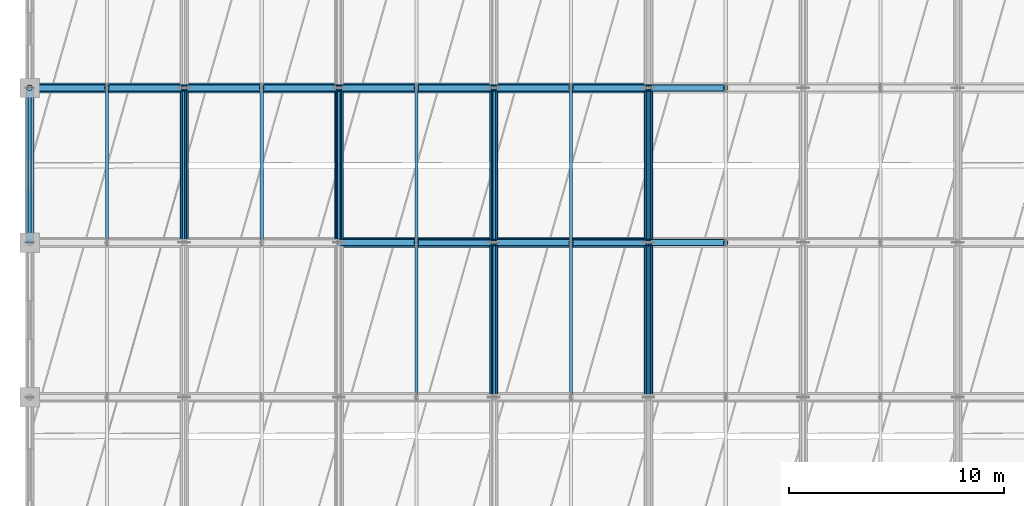
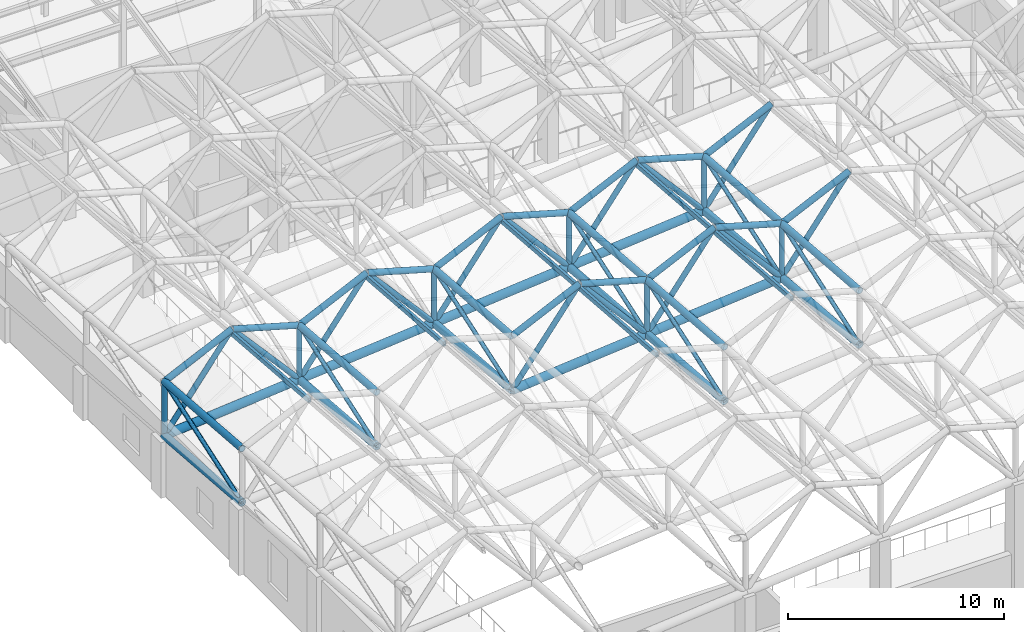
# One storey, part 20 of 113: 68 members.
"""IFC4 building model written with IfcOpenShell, lengths in metres."""

import ifcopenshell
import ifcopenshell.guid

model = None  # the IFC model being written
_history = None  # IfcOwnerHistory: only IFC2X3 demands one
_inside = {}  # id of a spatial element -> (the spatial element, [elements in it])
_under = {}  # id of a project, library or spatial element -> (it, [spatial elements below it])
_declared = {}  # id of a project -> (the project, [libraries it declares])
_typed = {}  # id of a type object -> (the type object, [elements of that type])
_made_of = {}  # id of a material, layer set ... -> (it, [elements and type objects made of it])


def new_model(schema):
    """Start an empty IFC model of exactly this schema.

    Asked for "IFC4X3", IfcOpenShell would pick the latest addendum, in which some entities
    have other attributes; the version numbers below select the first issue.
    IFC2X3 requires an IfcOwnerHistory on every rooted entity: one is made here for all.
    """
    global model, _history
    if schema == "IFC4X3":
        model = ifcopenshell.file(schema_version=(4, 3, 0, 0))
    else:
        model = ifcopenshell.file(schema=schema)
    _inside.clear()
    _under.clear()
    _declared.clear()
    _typed.clear()
    _made_of.clear()
    _history = None
    if model.schema == "IFC2X3":
        org = make("IfcOrganization", Name="unknown")
        user = make(
            "IfcPersonAndOrganization",
            ThePerson=make("IfcPerson", FamilyName="unknown"),
            TheOrganization=org,
        )
        app = make(
            "IfcApplication",
            ApplicationDeveloper=org,
            Version="unknown",
            ApplicationFullName="unknown",
            ApplicationIdentifier="unknown",
        )
        _history = make(
            "IfcOwnerHistory",
            OwningUser=user,
            OwningApplication=app,
            ChangeAction="ADDED",
            CreationDate=0,
        )
    return model


def make(cls, **values):
    """One entity of the class cls with the attributes given. An attribute that is None is left unset."""
    return model.create_entity(
        cls, **{name: value for name, value in values.items() if value is not None}
    )


def rooted(cls, **values):
    """An entity with a GlobalId (a new one), such as an element, a storey or a relation."""
    return make(cls, GlobalId=ifcopenshell.guid.new(), OwnerHistory=_history, **values)


def si_unit(unit_type, name, prefix=None):
    """IfcSIUnit, for example si_unit("LENGTHUNIT", "METRE", prefix="MILLI")."""
    return make("IfcSIUnit", UnitType=unit_type, Prefix=prefix, Name=name)


def assignment(units):
    """IfcUnitAssignment: the units of a project."""
    return None if units is None else make("IfcUnitAssignment", Units=units)


def point(xyz):
    """IfcCartesianPoint."""
    return None if xyz is None else make("IfcCartesianPoint", Coordinates=xyz)


def direction(xyz):
    """IfcDirection."""
    return None if xyz is None else make("IfcDirection", DirectionRatios=xyz)


def frame(location, z_axis=None, x_axis=None):
    """IfcAxis2Placement3D, a coordinate frame: its origin and axes. An axis left out is left unset."""
    return make(
        "IfcAxis2Placement3D",
        Location=point(location),
        Axis=direction(z_axis),
        RefDirection=direction(x_axis),
    )


def frame_2d(location, x_axis=None):
    """IfcAxis2Placement2D, a coordinate frame in the plane: its origin and x axis."""
    return make(
        "IfcAxis2Placement2D", Location=point(location), RefDirection=direction(x_axis)
    )


def origin():
    """The frame at (0, 0, 0) with its axes left unset."""
    return frame((0.0, 0.0, 0.0))


def origin_2d():
    """The frame at (0, 0) in the plane with its x axis left unset."""
    return frame_2d((0.0, 0.0))


def place(relative_to, where):
    """IfcLocalPlacement: puts the frame where relative to a parent placement (None: the world)."""
    return make(
        "IfcLocalPlacement", PlacementRelTo=relative_to, RelativePlacement=where
    )


def context(
    kind, dimensions, precision=None, world=None, true_north=None, identifier=None
):
    """IfcGeometricRepresentationContext, for example the 3D "Model" context."""
    return make(
        "IfcGeometricRepresentationContext",
        ContextIdentifier=identifier,
        ContextType=kind,
        CoordinateSpaceDimension=dimensions,
        Precision=precision,
        WorldCoordinateSystem=world,
        TrueNorth=true_north,
    )


def subcontext(parent, identifier, kind, view, scale=None):
    """IfcGeometricRepresentationSubContext, for example "Body" below "Model"."""
    return make(
        "IfcGeometricRepresentationSubContext",
        ContextIdentifier=identifier,
        ContextType=kind,
        ParentContext=parent,
        TargetScale=scale,
        TargetView=view,
    )


def project(units=None, contexts=None):
    """IfcProject with its units and contexts."""
    return rooted(
        "IfcProject",
        Name="project",
        RepresentationContexts=contexts,
        UnitsInContext=assignment(units),
    )


def spatial(cls, under=None, at=None, **own):
    """A site, building, storey or space (cls), placed at a placement, below another one or the project."""
    s = rooted(cls, ObjectPlacement=at, **own)
    if under is not None:
        _under.setdefault(under.id(), (under, []))[1].append(s)
    return s


def profile(cls, at=None, kind="AREA", **sizes):
    """A parametric profile (cls). Its sizes go by their IFC names, for example OverallWidth=200.0."""
    return make(cls, ProfileType=kind, Position=at, **sizes)


def hollow_rectangle(**sizes):
    """IfcRectangleHollowProfileDef."""
    return profile("IfcRectangleHollowProfileDef", **sizes)


def hollow_circle(**sizes):
    """IfcCircleHollowProfileDef."""
    return profile("IfcCircleHollowProfileDef", **sizes)


def extrude(swept, where, along, depth):
    """IfcExtrudedAreaSolid: the profile swept, set in the frame where, extruded along a direction by depth."""
    return make(
        "IfcExtrudedAreaSolid",
        SweptArea=swept,
        Position=where,
        ExtrudedDirection=direction(along),
        Depth=depth,
    )


def shape(context_of_items, identifier, shape_type, items):
    """IfcShapeRepresentation: the items that make up one representation, for example the "Body"."""
    return make(
        "IfcShapeRepresentation",
        ContextOfItems=context_of_items,
        RepresentationIdentifier=identifier,
        RepresentationType=shape_type,
        Items=items,
    )


def material(Name=None, Category=None):
    """IfcMaterial."""
    return make("IfcMaterial", Name=Name, Category=Category)


def material_profile(
    of_material, cross_section, Name=None, Category=None, Priority=None
):
    """IfcMaterialProfile: a cross section and its material."""
    return make(
        "IfcMaterialProfile",
        Name=Name,
        Material=of_material,
        Profile=cross_section,
        Priority=Priority,
        Category=Category,
    )


def profile_set(profiles, Name=None, composite=None):
    """IfcMaterialProfileSet."""
    return make(
        "IfcMaterialProfileSet",
        Name=Name,
        MaterialProfiles=profiles,
        CompositeProfile=composite,
    )


def made_of(thing, what):
    """Note that an element or type object is made of a material, layer set ...; save() writes the relation."""
    if what is not None:
        _made_of.setdefault(what.id(), (what, []))[1].append(thing)
    return thing


def type_object(cls, material=None, **own):
    """A type object (cls), such as IfcWallType, which elements share."""
    return made_of(rooted(cls, **own), material)


def element(
    cls,
    number,
    at=None,
    inside=None,
    cuts=None,
    type_object=None,
    material=None,
    context=None,
    identifier="Body",
    shape_type=None,
    held_by="IfcProductDefinitionShape",
    body=None,
    shapes=None,
    **own,
):
    """One element of the class cls, such as IfcWall. Its Tag is "e" and its number.

    at: its placement. inside: the storey or other place that contains it. cuts: it is an
    opening in that element (IfcRelVoidsElement). A single representation is given by context,
    identifier, shape_type and body (its items); several are given by shapes. held_by: the class
    of the entity that holds the representations. save() writes the other relations.
    """
    e = rooted(cls, Tag="e%d" % number, ObjectPlacement=at, **own)
    if body is not None:
        shapes = [shape(context, identifier, shape_type, body)]
    if shapes is not None:
        e.Representation = make(held_by, Representations=shapes)
    if inside is not None:
        _inside.setdefault(inside.id(), (inside, []))[1].append(e)
    if cuts is not None:
        rooted(
            "IfcRelVoidsElement", RelatingBuildingElement=cuts, RelatedOpeningElement=e
        )
    if type_object is not None:
        _typed.setdefault(type_object.id(), (type_object, []))[1].append(e)
    return made_of(e, material)


def aggregate(whole, parts):
    """IfcRelAggregates: a whole, such as a stair, and the parts it consists of."""
    return rooted("IfcRelAggregates", RelatingObject=whole, RelatedObjects=parts)


def save(model, path):
    """Write the relations noted so far, then the file.

    IfcRelAggregates (storeys below a building ...), IfcRelContainedInSpatialStructure (elements
    in a storey), IfcRelDefinesByType, IfcRelAssociatesMaterial and IfcRelDeclares: one each for
    every whole, place, type object, material and project.
    """
    for whole, parts in _under.values():
        aggregate(whole, parts)
    for where, things in _inside.values():
        rooted(
            "IfcRelContainedInSpatialStructure",
            RelatedElements=things,
            RelatingStructure=where,
        )
    for kind, things in _typed.values():
        rooted("IfcRelDefinesByType", RelatedObjects=things, RelatingType=kind)
    for what, things in _made_of.values():
        rooted("IfcRelAssociatesMaterial", RelatedObjects=things, RelatingMaterial=what)
    for by, libraries in _declared.values():
        rooted("IfcRelDeclares", RelatingContext=by, RelatedDefinitions=libraries)
    model.write(path)


model = new_model("IFC4")

# Units and contexts
model_context = context("Model", 3, precision=1e-05, world=origin(), true_north=direction((0.0, 1.0)))
body_context = subcontext(model_context, "Body", "Model", "MODEL_VIEW")
ifc_project = project(units=[si_unit("LENGTHUNIT", "METRE"), si_unit("AREAUNIT", "SQUARE_METRE"), si_unit("VOLUMEUNIT", "CUBIC_METRE"), si_unit("PLANEANGLEUNIT", "RADIAN"), si_unit("MASSUNIT", "GRAM", prefix="KILO")], contexts=[model_context])

# Site, building, storey
site_placement = place(None, origin())
site = spatial("IfcSite", under=ifc_project, at=site_placement, CompositionType="ELEMENT")
building_placement = place(site_placement, origin())
building = spatial("IfcBuilding", under=site, at=building_placement, Name="Carrowvane Square Congress Hotel", CompositionType="ELEMENT")
storey_placement = place(building_placement, frame((0.0, 0.0, 15.0)))
storey = spatial("IfcBuildingStorey", under=building, at=storey_placement, Name="L03", CompositionType="ELEMENT", Elevation=15.0)

# Members
ifc_material_1 = material(Name="Steel S355", Category="steel")
ifc_material_profile_1 = material_profile(ifc_material_1, hollow_rectangle(XDim=0.14990234375, YDim=0.25, WallThickness=0.012451171875, at=origin_2d()), Name="RHS 250x150x12.5")
ifc_profile_set_1 = profile_set([ifc_material_profile_1], Name="Steel S355")
member_type_1 = type_object("IfcMemberType", Name="MEM-PR-RHS250", PredefinedType="PURLIN", material=ifc_profile_set_1)
for number, where, z_axis, x_axis, name in (
    (1, (15.199951171875, 27.0, 8.224365234375), (0.0, 0.996864207606, -0.079131230206), (-1.0, 0.0, 0.0), "Space-frame ridge purlin 452"),
    (2, (22.39990234375, 27.0, 8.88134765625), (0.0, 0.996866873479, -0.079097639413), (-1.0, 0.0, 0.0), "Space-frame ridge purlin 459"),
    (3, (29.60009765625, 19.800048828125, 10.110107421875), (0.0, 0.996864207606, -0.079131230206), (-1.0, 0.0, 0.0), "Space-frame ridge purlin 465"),
    (4, (29.60009765625, 27.0, 9.53857421875), (0.0, 0.996864207606, -0.079131230206), (-1.0, 0.0, 0.0), "Space-frame ridge purlin 466"),
    (5, (36.800048828125, 19.800048828125, 10.76708984375), (0.0, 0.996866873479, -0.079097639413), (-1.0, 0.0, 0.0), "Space-frame ridge purlin 472"),
    (6, (36.800048828125, 27.0, 10.19580078125), (0.0, 0.996864207606, -0.079131230206), (-1.0, 0.0, 0.0), "Space-frame ridge purlin 473"),
):
    element("IfcMember", number, at=place(storey_placement, frame(where, z_axis=z_axis, x_axis=x_axis)), inside=storey, type_object=member_type_1, Name=name, PredefinedType="PURLIN", context=body_context, shape_type="SweptSolid", body=[
        extrude(hollow_rectangle(XDim=0.14990234375, YDim=0.25, WallThickness=0.012451171875, at=origin_2d()), origin(), (0.0, 0.0, 1.0), 7.22265625),
    ])
ifc_material_2 = material(Name="Steel S355", Category="steel")
ifc_material_profile_2 = material_profile(ifc_material_2, hollow_circle(Radius=0.136474609375, WallThickness=0.01611328125, at=origin_2d()), Name="CHS 273.0x16")
ifc_profile_set_2 = profile_set([ifc_material_profile_2], Name="Steel S355")
member_type_2 = type_object("IfcMemberType", Name="MEM-ST-CHS273", PredefinedType="STRUT", material=ifc_profile_set_2)
member_1_placement = place(storey_placement, frame((11.60009765625, 34.199951171875, 3.13427734375), z_axis=(0.0, 0.0, 1.0), x_axis=(1.0, 0.0, 0.0)))
element("IfcMember", 7, at=member_1_placement, inside=storey, type_object=member_type_2, Name="Space-frame vertical post 502", PredefinedType="STRUT", context=body_context, shape_type="SweptSolid", body=[
    extrude(hollow_circle(Radius=0.136474609375, WallThickness=0.01611328125, at=origin_2d()), origin(), (0.0, 0.0, 1.0), 3.050048828125),
])
member_2_placement = place(storey_placement, frame((18.800048828125, 34.199951171875, 3.79150390625), z_axis=(0.0, 0.0, 1.0), x_axis=(1.0, 0.0, 0.0)))
element("IfcMember", 8, at=member_2_placement, inside=storey, type_object=member_type_2, Name="Space-frame vertical post 510", PredefinedType="STRUT", context=body_context, shape_type="SweptSolid", body=[
    extrude(hollow_circle(Radius=0.136474609375, WallThickness=0.01611328125, at=origin_2d()), origin(), (0.0, 0.0, 1.0), 3.0498046875),
])
member_3_placement = place(storey_placement, frame((26.0, 34.199951171875, 4.448486328125), z_axis=(0.0, 0.0, 1.0), x_axis=(1.0, 0.0, 0.0)))
element("IfcMember", 9, at=member_3_placement, inside=storey, type_object=member_type_2, Name="Space-frame vertical post 518", PredefinedType="STRUT", context=body_context, shape_type="SweptSolid", body=[
    extrude(hollow_circle(Radius=0.136474609375, WallThickness=0.01611328125, at=origin_2d()), origin(), (0.0, 0.0, 1.0), 3.050048828125),
])
member_4_placement = place(storey_placement, frame((33.199951171875, 27.0, 5.67724609375), z_axis=(0.0, 0.0, 1.0), x_axis=(1.0, 0.0, 0.0)))
element("IfcMember", 10, at=member_4_placement, inside=storey, type_object=member_type_2, Name="Space-frame vertical post 525", PredefinedType="STRUT", context=body_context, shape_type="SweptSolid", body=[
    extrude(hollow_circle(Radius=0.136474609375, WallThickness=0.01611328125, at=origin_2d()), origin(), (0.0, 0.0, 1.0), 3.0498046875),
])
for number, where, z_axis, x_axis, name in (
    (11, (33.199951171875, 34.199951171875, 5.105712890625), (0.0, 0.0, 1.0), (1.0, 0.0, 0.0), "Space-frame vertical post 526"),
    (12, (40.39990234375, 27.0, 6.334228515625), (0.0, 0.0, 1.0), (1.0, 0.0, 0.0), "Space-frame vertical post 533"),
):
    element("IfcMember", number, at=place(storey_placement, frame(where, z_axis=z_axis, x_axis=x_axis)), inside=storey, type_object=member_type_2, Name=name, PredefinedType="STRUT", context=body_context, shape_type="SweptSolid", body=[
        extrude(hollow_circle(Radius=0.136474609375, WallThickness=0.01611328125, at=origin_2d()), origin(), (0.0, 0.0, 1.0), 3.050048828125),
    ])
member_5_placement = place(storey_placement, frame((40.39990234375, 34.199951171875, 5.762939453125), z_axis=(0.0, 0.0, 1.0), x_axis=(1.0, 0.0, 0.0)))
element("IfcMember", 13, at=member_5_placement, inside=storey, type_object=member_type_2, Name="Space-frame vertical post 534", PredefinedType="STRUT", context=body_context, shape_type="SweptSolid", body=[
    extrude(hollow_circle(Radius=0.136474609375, WallThickness=0.01611328125, at=origin_2d()), origin(), (0.0, 0.0, 1.0), 3.0498046875),
])
ifc_material_3 = material(Name="Steel S355", Category="steel")
ifc_material_profile_3 = material_profile(ifc_material_3, hollow_circle(Radius=0.161865234375, WallThickness=0.01611328125, at=origin_2d()), Name="CHS 323.9x16")
ifc_profile_set_3 = profile_set([ifc_material_profile_3], Name="Steel S355")
member_type_3 = type_object("IfcMemberType", Name="MEM-TC-CHS324", PredefinedType="CHORD", material=ifc_profile_set_3)
member_6_placement = place(storey_placement, frame((26.0, 27.0, 8.070068359375), z_axis=(0.905368957574, 0.0, 0.424625777199), x_axis=(0.0, 1.0, 0.0)))
element("IfcMember", 14, at=member_6_placement, inside=storey, type_object=member_type_3, Name="Space-frame folded top chord 285", PredefinedType="CHORD", context=body_context, shape_type="SweptSolid", body=[
    extrude(hollow_circle(Radius=0.161865234375, WallThickness=0.01611328125, at=origin_2d()), origin(), (0.0, 0.0, 1.0), 3.976318359375),
])
member_7_placement = place(storey_placement, frame((29.60009765625, 27.0, 9.758544921875), z_axis=(0.961314549928, 0.0, -0.275452965307), x_axis=(0.0, 1.0, 0.0)))
element("IfcMember", 15, at=member_7_placement, inside=storey, type_object=member_type_3, Name="Space-frame folded top chord 286", PredefinedType="CHORD", context=body_context, shape_type="SweptSolid", body=[
    extrude(hollow_circle(Radius=0.161865234375, WallThickness=0.01611328125, at=origin_2d()), origin(), (0.0, 0.0, 1.0), 3.74462890625),
])
member_8_placement = place(storey_placement, frame((33.199951171875, 27.0, 8.72705078125), z_axis=(0.905345352914, 0.0, 0.424676102408), x_axis=(0.0, 1.0, 0.0)))
element("IfcMember", 16, at=member_8_placement, inside=storey, type_object=member_type_3, Name="Space-frame folded top chord 290", PredefinedType="CHORD", context=body_context, shape_type="SweptSolid", body=[
    extrude(hollow_circle(Radius=0.161865234375, WallThickness=0.01611328125, at=origin_2d()), origin(), (0.0, 0.0, 1.0), 3.9765625),
])
member_9_placement = place(storey_placement, frame((36.800048828125, 27.0, 10.415771484375), z_axis=(0.961314549928, 0.0, -0.275452965307), x_axis=(0.0, 1.0, 0.0)))
element("IfcMember", 17, at=member_9_placement, inside=storey, type_object=member_type_3, Name="Space-frame folded top chord 291", PredefinedType="CHORD", context=body_context, shape_type="SweptSolid", body=[
    extrude(hollow_circle(Radius=0.161865234375, WallThickness=0.01611328125, at=origin_2d()), origin(), (0.0, 0.0, 1.0), 3.74462890625),
])
member_10_placement = place(storey_placement, frame((40.39990234375, 27.0, 9.38427734375), z_axis=(0.905368957574, 0.0, 0.424625777199), x_axis=(0.0, 1.0, 0.0)))
element("IfcMember", 18, at=member_10_placement, inside=storey, type_object=member_type_3, Name="Space-frame folded top chord 295", PredefinedType="CHORD", context=body_context, shape_type="SweptSolid", body=[
    extrude(hollow_circle(Radius=0.161865234375, WallThickness=0.01611328125, at=origin_2d()), origin(), (0.0, 0.0, 1.0), 3.976318359375),
])
member_11_placement = place(storey_placement, frame((11.60009765625, 34.199951171875, 6.184326171875), z_axis=(0.905357886231, 0.0, 0.424649382243), x_axis=(0.0, 1.0, 0.0)))
element("IfcMember", 19, at=member_11_placement, inside=storey, type_object=member_type_3, Name="Space-frame folded top chord 310", PredefinedType="CHORD", context=body_context, shape_type="SweptSolid", body=[
    extrude(hollow_circle(Radius=0.161865234375, WallThickness=0.01611328125, at=origin_2d()), origin(), (0.0, 0.0, 1.0), 3.97607421875),
])
member_12_placement = place(storey_placement, frame((15.199951171875, 34.199951171875, 7.872802734375), z_axis=(0.961319496164, 0.0, -0.275435702651), x_axis=(0.0, 1.0, 0.0)))
element("IfcMember", 20, at=member_12_placement, inside=storey, type_object=member_type_3, Name="Space-frame folded top chord 311", PredefinedType="CHORD", context=body_context, shape_type="SweptSolid", body=[
    extrude(hollow_circle(Radius=0.161865234375, WallThickness=0.01611328125, at=origin_2d()), origin(), (0.0, 0.0, 1.0), 3.744873046875),
])
member_13_placement = place(storey_placement, frame((18.800048828125, 34.199951171875, 6.84130859375), z_axis=(0.905334279236, 0.0, 0.424699709018), x_axis=(0.0, 1.0, 0.0)))
element("IfcMember", 21, at=member_13_placement, inside=storey, type_object=member_type_3, Name="Space-frame folded top chord 315", PredefinedType="CHORD", context=body_context, shape_type="SweptSolid", body=[
    extrude(hollow_circle(Radius=0.161865234375, WallThickness=0.01611328125, at=origin_2d()), origin(), (0.0, 0.0, 1.0), 3.976318359375),
])
member_14_placement = place(storey_placement, frame((22.39990234375, 34.199951171875, 8.530029296875), z_axis=(0.961319496164, 0.0, -0.275435702651), x_axis=(0.0, 1.0, 0.0)))
element("IfcMember", 22, at=member_14_placement, inside=storey, type_object=member_type_3, Name="Space-frame folded top chord 316", PredefinedType="CHORD", context=body_context, shape_type="SweptSolid", body=[
    extrude(hollow_circle(Radius=0.161865234375, WallThickness=0.01611328125, at=origin_2d()), origin(), (0.0, 0.0, 1.0), 3.744873046875),
])
member_15_placement = place(storey_placement, frame((26.0, 34.199951171875, 7.49853515625), z_axis=(0.905345352914, 0.0, 0.424676102408), x_axis=(0.0, 1.0, 0.0)))
element("IfcMember", 23, at=member_15_placement, inside=storey, type_object=member_type_3, Name="Space-frame folded top chord 320", PredefinedType="CHORD", context=body_context, shape_type="SweptSolid", body=[
    extrude(hollow_circle(Radius=0.161865234375, WallThickness=0.01611328125, at=origin_2d()), origin(), (0.0, 0.0, 1.0), 3.9765625),
])
member_16_placement = place(storey_placement, frame((29.60009765625, 34.199951171875, 9.187255859375), z_axis=(0.961314549928, 0.0, -0.275452965307), x_axis=(0.0, 1.0, 0.0)))
element("IfcMember", 24, at=member_16_placement, inside=storey, type_object=member_type_3, Name="Space-frame folded top chord 321", PredefinedType="CHORD", context=body_context, shape_type="SweptSolid", body=[
    extrude(hollow_circle(Radius=0.161865234375, WallThickness=0.01611328125, at=origin_2d()), origin(), (0.0, 0.0, 1.0), 3.74462890625),
])
member_17_placement = place(storey_placement, frame((33.199951171875, 34.199951171875, 8.15576171875), z_axis=(0.905368957574, 0.0, 0.424625777199), x_axis=(0.0, 1.0, 0.0)))
element("IfcMember", 25, at=member_17_placement, inside=storey, type_object=member_type_3, Name="Space-frame folded top chord 325", PredefinedType="CHORD", context=body_context, shape_type="SweptSolid", body=[
    extrude(hollow_circle(Radius=0.161865234375, WallThickness=0.01611328125, at=origin_2d()), origin(), (0.0, 0.0, 1.0), 3.976318359375),
])
member_18_placement = place(storey_placement, frame((36.800048828125, 34.199951171875, 9.84423828125), z_axis=(0.961314549928, 0.0, -0.275452965307), x_axis=(0.0, 1.0, 0.0)))
element("IfcMember", 26, at=member_18_placement, inside=storey, type_object=member_type_3, Name="Space-frame folded top chord 326", PredefinedType="CHORD", context=body_context, shape_type="SweptSolid", body=[
    extrude(hollow_circle(Radius=0.161865234375, WallThickness=0.01611328125, at=origin_2d()), origin(), (0.0, 0.0, 1.0), 3.74462890625),
])
member_19_placement = place(storey_placement, frame((40.39990234375, 34.199951171875, 8.812744140625), z_axis=(0.905345352914, 0.0, 0.424676102408), x_axis=(0.0, 1.0, 0.0)))
element("IfcMember", 27, at=member_19_placement, inside=storey, type_object=member_type_3, Name="Space-frame folded top chord 330", PredefinedType="CHORD", context=body_context, shape_type="SweptSolid", body=[
    extrude(hollow_circle(Radius=0.161865234375, WallThickness=0.01611328125, at=origin_2d()), origin(), (0.0, 0.0, 1.0), 3.9765625),
])
ifc_material_4 = material(Name="Steel S355", Category="steel")
ifc_material_profile_4 = material_profile(ifc_material_4, hollow_circle(Radius=0.177734375, WallThickness=0.02001953125, at=origin_2d()), Name="CHS 355.6x20")
ifc_profile_set_4 = profile_set([ifc_material_profile_4], Name="Steel S355")
member_type_4 = type_object("IfcMemberType", Name="MEM-TC-CHS356", PredefinedType="CHORD", material=ifc_profile_set_4)
for number, where, z_axis, x_axis, name in (
    (28, (11.60009765625, 27.0, 6.755615234375), (0.0, 0.996866873479, -0.079097639413), (-1.0, 0.0, 0.0), "Space-frame valley top chord 10"),
    (29, (18.800048828125, 27.0, 7.412841796875), (0.0, 0.996864207606, -0.079131230206), (-1.0, 0.0, 0.0), "Space-frame valley top chord 31"),
    (30, (26.0, 27.0, 8.070068359375), (0.0, 0.996864207606, -0.079131230206), (-1.0, 0.0, 0.0), "Space-frame valley top chord 52"),
    (31, (33.199951171875, 19.800048828125, 9.298583984375), (0.0, 0.996864207606, -0.079131230206), (-1.0, 0.0, 0.0), "Space-frame valley top chord 70"),
    (32, (33.199951171875, 27.0, 8.72705078125), (0.0, 0.996866873479, -0.079097639413), (-1.0, 0.0, 0.0), "Space-frame valley top chord 73"),
    (33, (40.39990234375, 19.800048828125, 9.955810546875), (0.0, 0.996864207606, -0.079131230206), (-1.0, 0.0, 0.0), "Space-frame valley top chord 91"),
    (34, (40.39990234375, 27.0, 9.38427734375), (0.0, 0.996864207606, -0.079131230206), (-1.0, 0.0, 0.0), "Space-frame valley top chord 94"),
):
    element("IfcMember", number, at=place(storey_placement, frame(where, z_axis=z_axis, x_axis=x_axis)), inside=storey, type_object=member_type_4, Name=name, PredefinedType="CHORD", context=body_context, shape_type="SweptSolid", body=[
        extrude(hollow_circle(Radius=0.177734375, WallThickness=0.02001953125, at=origin_2d()), origin(), (0.0, 0.0, 1.0), 7.22265625),
    ])
ifc_material_5 = material(Name="Steel S355", Category="steel")
ifc_material_profile_5 = material_profile(ifc_material_5, hollow_circle(Radius=0.203125, WallThickness=0.02001953125, at=origin_2d()), Name="CHS 406.4x20")
ifc_profile_set_5 = profile_set([ifc_material_profile_5], Name="Steel S355")
member_type_5 = type_object("IfcMemberType", Name="MEM-TC-CHS406", PredefinedType="CHORD", material=ifc_profile_set_5)
for number, where, z_axis, x_axis, name in (
    (35, (11.60009765625, 27.0, 3.705810546875), (0.0, 0.996864207606, -0.079131230206), (-1.0, 0.0, 0.0), "Space-frame bottom chord 11"),
    (36, (18.800048828125, 27.0, 4.36279296875), (0.0, 0.996866873479, -0.079097639413), (-1.0, 0.0, 0.0), "Space-frame bottom chord 32"),
    (37, (26.0, 27.0, 5.02001953125), (0.0, 0.996864207606, -0.079131230206), (-1.0, 0.0, 0.0), "Space-frame bottom chord 53"),
    (38, (33.199951171875, 19.800048828125, 6.24853515625), (0.0, 0.996866873479, -0.079097639413), (-1.0, 0.0, 0.0), "Space-frame bottom chord 71"),
    (39, (33.199951171875, 27.0, 5.67724609375), (0.0, 0.996864207606, -0.079131230206), (-1.0, 0.0, 0.0), "Space-frame bottom chord 74"),
    (40, (40.39990234375, 19.800048828125, 6.90576171875), (0.0, 0.996864207606, -0.079131230206), (-1.0, 0.0, 0.0), "Space-frame bottom chord 92"),
    (41, (40.39990234375, 27.0, 6.334228515625), (0.0, 0.996866873479, -0.079097639413), (-1.0, 0.0, 0.0), "Space-frame bottom chord 95"),
):
    element("IfcMember", number, at=place(storey_placement, frame(where, z_axis=z_axis, x_axis=x_axis)), inside=storey, type_object=member_type_5, Name=name, PredefinedType="CHORD", context=body_context, shape_type="SweptSolid", body=[
        extrude(hollow_circle(Radius=0.203125, WallThickness=0.02001953125, at=origin_2d()), origin(), (0.0, 0.0, 1.0), 7.22265625),
    ])
ifc_material_6 = material(Name="Steel S355", Category="steel")
ifc_material_profile_6 = material_profile(ifc_material_6, hollow_circle(Radius=0.228515625, WallThickness=0.02490234375, at=origin_2d()), Name="CHS 457.0x25")
ifc_profile_set_6 = profile_set([ifc_material_profile_6], Name="Steel S355")
member_type_6 = type_object("IfcMemberType", Name="MEM-TC-CHS457", PredefinedType="CHORD", material=ifc_profile_set_6)
for number, where, z_axis, x_axis, name in (
    (42, (26.0, 27.0, 5.02001953125), (0.995859646859, 0.0, 0.090904145988), (0.0, 1.0, 0.0), "Space-frame cross bottom chord 284"),
    (43, (33.199951171875, 27.0, 5.67724609375), (0.99586270327, 0.0, 0.090870656624), (0.0, 1.0, 0.0), "Space-frame cross bottom chord 289"),
    (44, (11.60009765625, 34.199951171875, 3.13427734375), (0.995859646859, 0.0, 0.090904145988), (0.0, 1.0, 0.0), "Space-frame cross bottom chord 309"),
    (45, (18.800048828125, 34.199951171875, 3.79150390625), (0.99586270327, 0.0, 0.090870656624), (0.0, 1.0, 0.0), "Space-frame cross bottom chord 314"),
    (46, (26.0, 34.199951171875, 4.448486328125), (0.995859646859, 0.0, 0.090904145988), (0.0, 1.0, 0.0), "Space-frame cross bottom chord 319"),
    (47, (33.199951171875, 34.199951171875, 5.105712890625), (0.995859646859, 0.0, 0.090904145988), (0.0, 1.0, 0.0), "Space-frame cross bottom chord 324"),
):
    element("IfcMember", number, at=place(storey_placement, frame(where, z_axis=z_axis, x_axis=x_axis)), inside=storey, type_object=member_type_6, Name=name, PredefinedType="CHORD", context=body_context, shape_type="SweptSolid", body=[
        extrude(hollow_circle(Radius=0.228515625, WallThickness=0.02490234375, at=origin_2d()), origin(), (0.0, 0.0, 1.0), 7.22998046875),
    ])
ifc_material_7 = material(Name="Steel S355", Category="steel")
ifc_material_profile_7 = material_profile(ifc_material_7, hollow_circle(Radius=0.109619140625, WallThickness=0.012451171875, at=origin_2d()), Name="CHS 219.1x12.5")
ifc_profile_set_7 = profile_set([ifc_material_profile_7], Name="Steel S355")
member_type_7 = type_object("IfcMemberType", Name="MEM-TD-CHS219", PredefinedType="BRACE", material=ifc_profile_set_7)
for number, where, z_axis, x_axis, name in (
    (48, (11.60009765625, 27.0, 3.705810546875), (0.0, 0.945543894884, 0.325494612623), (-1.0, 0.0, 0.0), "Space-frame web diagonal 12"),
    (49, (18.800048828125, 27.0, 4.36279296875), (0.0, 0.945543894884, 0.325494612623), (-1.0, 0.0, 0.0), "Space-frame web diagonal 33"),
    (50, (26.0, 27.0, 5.02001953125), (0.0, 0.945543894884, 0.325494612623), (-1.0, 0.0, 0.0), "Space-frame web diagonal 54"),
    (51, (33.199951171875, 19.800048828125, 6.24853515625), (0.0, 0.945543894884, 0.325494612623), (-1.0, 0.0, 0.0), "Space-frame web diagonal 72"),
    (52, (33.199951171875, 27.0, 5.67724609375), (0.0, 0.945543894884, 0.325494612623), (-1.0, 0.0, 0.0), "Space-frame web diagonal 75"),
    (53, (40.39990234375, 19.800048828125, 6.90576171875), (0.0, 0.945543894884, 0.325494612623), (-1.0, 0.0, 0.0), "Space-frame web diagonal 93"),
    (54, (40.39990234375, 27.0, 6.334228515625), (0.0, 0.945543894884, 0.325494612623), (-1.0, 0.0, 0.0), "Space-frame web diagonal 96"),
):
    element("IfcMember", number, at=place(storey_placement, frame(where, z_axis=z_axis, x_axis=x_axis)), inside=storey, type_object=member_type_7, Name=name, PredefinedType="BRACE", context=body_context, shape_type="SweptSolid", body=[
        extrude(hollow_circle(Radius=0.109619140625, WallThickness=0.012451171875, at=origin_2d()), origin(), (0.0, 0.0, 1.0), 7.614501953125),
    ])
ifc_material_8 = material(Name="Steel S355", Category="steel")
ifc_material_profile_8 = material_profile(ifc_material_8, hollow_circle(Radius=0.136474609375, WallThickness=0.01611328125, at=origin_2d()), Name="CHS 273.0x16")
ifc_profile_set_8 = profile_set([ifc_material_profile_8], Name="Steel S355")
member_type_8 = type_object("IfcMemberType", Name="MEM-TD-CHS273", PredefinedType="BRACE", material=ifc_profile_set_8)
member_20_placement = place(storey_placement, frame((26.0, 27.0, 5.02001953125), z_axis=(0.604957396698, 0.0, 0.796257840263), x_axis=(0.0, 1.0, 0.0)))
element("IfcMember", 55, at=member_20_placement, inside=storey, type_object=member_type_8, Name="Space-frame space diagonal 287", PredefinedType="BRACE", context=body_context, shape_type="SweptSolid", body=[
    extrude(hollow_circle(Radius=0.136474609375, WallThickness=0.01611328125, at=origin_2d()), origin(), (0.0, 0.0, 1.0), 5.950927734375),
])
member_21_placement = place(storey_placement, frame((33.199951171875, 27.0, 5.67724609375), z_axis=(-0.661488088381, 0.0, 0.74995567131), x_axis=(0.0, -1.0, 0.0)))
element("IfcMember", 56, at=member_21_placement, inside=storey, type_object=member_type_8, Name="Space-frame space diagonal 288", PredefinedType="BRACE", context=body_context, shape_type="SweptSolid", body=[
    extrude(hollow_circle(Radius=0.136474609375, WallThickness=0.01611328125, at=origin_2d()), origin(), (0.0, 0.0, 1.0), 5.442138671875),
])
member_22_placement = place(storey_placement, frame((33.199951171875, 27.0, 5.67724609375), z_axis=(0.604957396698, 0.0, 0.796257840263), x_axis=(0.0, 1.0, 0.0)))
element("IfcMember", 57, at=member_22_placement, inside=storey, type_object=member_type_8, Name="Space-frame space diagonal 292", PredefinedType="BRACE", context=body_context, shape_type="SweptSolid", body=[
    extrude(hollow_circle(Radius=0.136474609375, WallThickness=0.01611328125, at=origin_2d()), origin(), (0.0, 0.0, 1.0), 5.950927734375),
])
member_23_placement = place(storey_placement, frame((40.39990234375, 27.0, 6.334228515625), z_axis=(-0.661465833466, 0.0, 0.749975300365), x_axis=(0.0, -1.0, 0.0)))
element("IfcMember", 58, at=member_23_placement, inside=storey, type_object=member_type_8, Name="Space-frame space diagonal 293", PredefinedType="BRACE", context=body_context, shape_type="SweptSolid", body=[
    extrude(hollow_circle(Radius=0.136474609375, WallThickness=0.01611328125, at=origin_2d()), origin(), (0.0, 0.0, 1.0), 5.442138671875),
])
for number, where, z_axis, x_axis, name in (
    (59, (40.39990234375, 27.0, 6.334228515625), (0.604957396698, 0.0, 0.796257840263), (0.0, 1.0, 0.0), "Space-frame space diagonal 297"),
    (60, (11.60009765625, 34.199951171875, 3.13427734375), (0.604931384673, 0.0, 0.796277602246), (0.0, 1.0, 0.0), "Space-frame space diagonal 312"),
):
    element("IfcMember", number, at=place(storey_placement, frame(where, z_axis=z_axis, x_axis=x_axis)), inside=storey, type_object=member_type_8, Name=name, PredefinedType="BRACE", context=body_context, shape_type="SweptSolid", body=[
        extrude(hollow_circle(Radius=0.136474609375, WallThickness=0.01611328125, at=origin_2d()), origin(), (0.0, 0.0, 1.0), 5.950927734375),
    ])
member_24_placement = place(storey_placement, frame((18.800048828125, 34.199951171875, 3.79150390625), z_axis=(-0.66151331907, 0.0, 0.749933416173), x_axis=(0.0, -1.0, 0.0)))
element("IfcMember", 61, at=member_24_placement, inside=storey, type_object=member_type_8, Name="Space-frame space diagonal 313", PredefinedType="BRACE", context=body_context, shape_type="SweptSolid", body=[
    extrude(hollow_circle(Radius=0.136474609375, WallThickness=0.01611328125, at=origin_2d()), origin(), (0.0, 0.0, 1.0), 5.442138671875),
])
member_25_placement = place(storey_placement, frame((18.800048828125, 34.199951171875, 3.79150390625), z_axis=(0.604931384673, 0.0, 0.796277602246), x_axis=(0.0, 1.0, 0.0)))
element("IfcMember", 62, at=member_25_placement, inside=storey, type_object=member_type_8, Name="Space-frame space diagonal 317", PredefinedType="BRACE", context=body_context, shape_type="SweptSolid", body=[
    extrude(hollow_circle(Radius=0.136474609375, WallThickness=0.01611328125, at=origin_2d()), origin(), (0.0, 0.0, 1.0), 5.950927734375),
])
member_26_placement = place(storey_placement, frame((26.0, 34.199951171875, 4.448486328125), z_axis=(-0.661491064627, 0.0, 0.749953046143), x_axis=(0.0, -1.0, 0.0)))
element("IfcMember", 63, at=member_26_placement, inside=storey, type_object=member_type_8, Name="Space-frame space diagonal 318", PredefinedType="BRACE", context=body_context, shape_type="SweptSolid", body=[
    extrude(hollow_circle(Radius=0.136474609375, WallThickness=0.01611328125, at=origin_2d()), origin(), (0.0, 0.0, 1.0), 5.4423828125),
])
member_27_placement = place(storey_placement, frame((26.0, 34.199951171875, 4.448486328125), z_axis=(0.60493763524, 0.0, 0.796272853656), x_axis=(0.0, 1.0, 0.0)))
element("IfcMember", 64, at=member_27_placement, inside=storey, type_object=member_type_8, Name="Space-frame space diagonal 322", PredefinedType="BRACE", context=body_context, shape_type="SweptSolid", body=[
    extrude(hollow_circle(Radius=0.136474609375, WallThickness=0.01611328125, at=origin_2d()), origin(), (0.0, 0.0, 1.0), 5.951171875),
])
member_28_placement = place(storey_placement, frame((33.199951171875, 34.199951171875, 5.105712890625), z_axis=(-0.661465833466, 0.0, 0.749975300365), x_axis=(0.0, -1.0, 0.0)))
element("IfcMember", 65, at=member_28_placement, inside=storey, type_object=member_type_8, Name="Space-frame space diagonal 323", PredefinedType="BRACE", context=body_context, shape_type="SweptSolid", body=[
    extrude(hollow_circle(Radius=0.136474609375, WallThickness=0.01611328125, at=origin_2d()), origin(), (0.0, 0.0, 1.0), 5.442138671875),
])
member_29_placement = place(storey_placement, frame((33.199951171875, 34.199951171875, 5.105712890625), z_axis=(0.604957396698, 0.0, 0.796257840263), x_axis=(0.0, 1.0, 0.0)))
element("IfcMember", 66, at=member_29_placement, inside=storey, type_object=member_type_8, Name="Space-frame space diagonal 327", PredefinedType="BRACE", context=body_context, shape_type="SweptSolid", body=[
    extrude(hollow_circle(Radius=0.136474609375, WallThickness=0.01611328125, at=origin_2d()), origin(), (0.0, 0.0, 1.0), 5.950927734375),
])
member_30_placement = place(storey_placement, frame((40.39990234375, 34.199951171875, 5.762939453125), z_axis=(-0.661488088381, 0.0, 0.74995567131), x_axis=(0.0, -1.0, 0.0)))
element("IfcMember", 67, at=member_30_placement, inside=storey, type_object=member_type_8, Name="Space-frame space diagonal 328", PredefinedType="BRACE", context=body_context, shape_type="SweptSolid", body=[
    extrude(hollow_circle(Radius=0.136474609375, WallThickness=0.01611328125, at=origin_2d()), origin(), (0.0, 0.0, 1.0), 5.442138671875),
])
member_31_placement = place(storey_placement, frame((40.39990234375, 34.199951171875, 5.762939453125), z_axis=(0.604957396698, 0.0, 0.796257840263), x_axis=(0.0, 1.0, 0.0)))
element("IfcMember", 68, at=member_31_placement, inside=storey, type_object=member_type_8, Name="Space-frame space diagonal 332", PredefinedType="BRACE", context=body_context, shape_type="SweptSolid", body=[
    extrude(hollow_circle(Radius=0.136474609375, WallThickness=0.01611328125, at=origin_2d()), origin(), (0.0, 0.0, 1.0), 5.950927734375),
])

save(model, "model.ifc")
